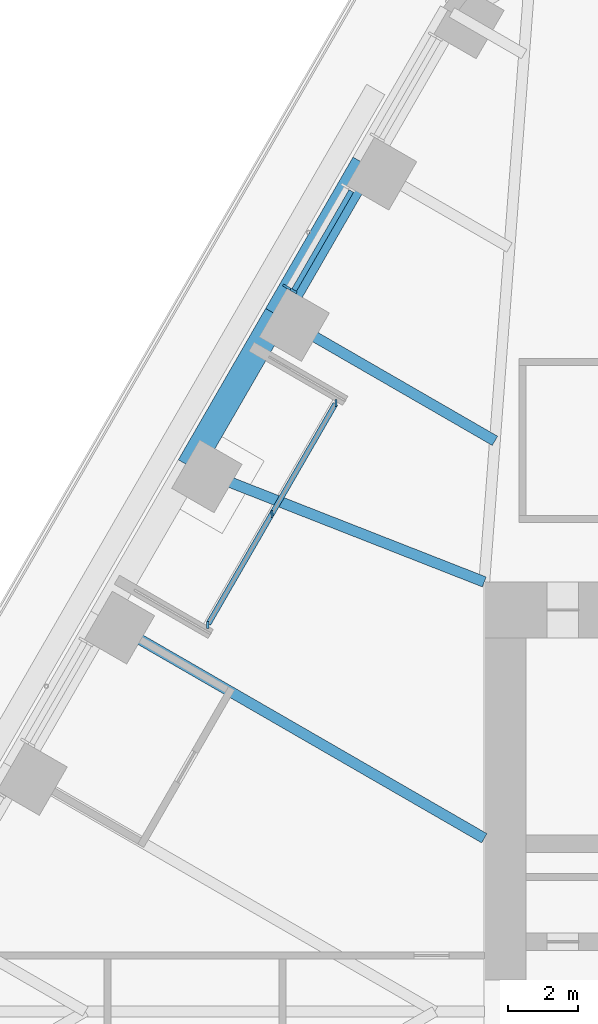
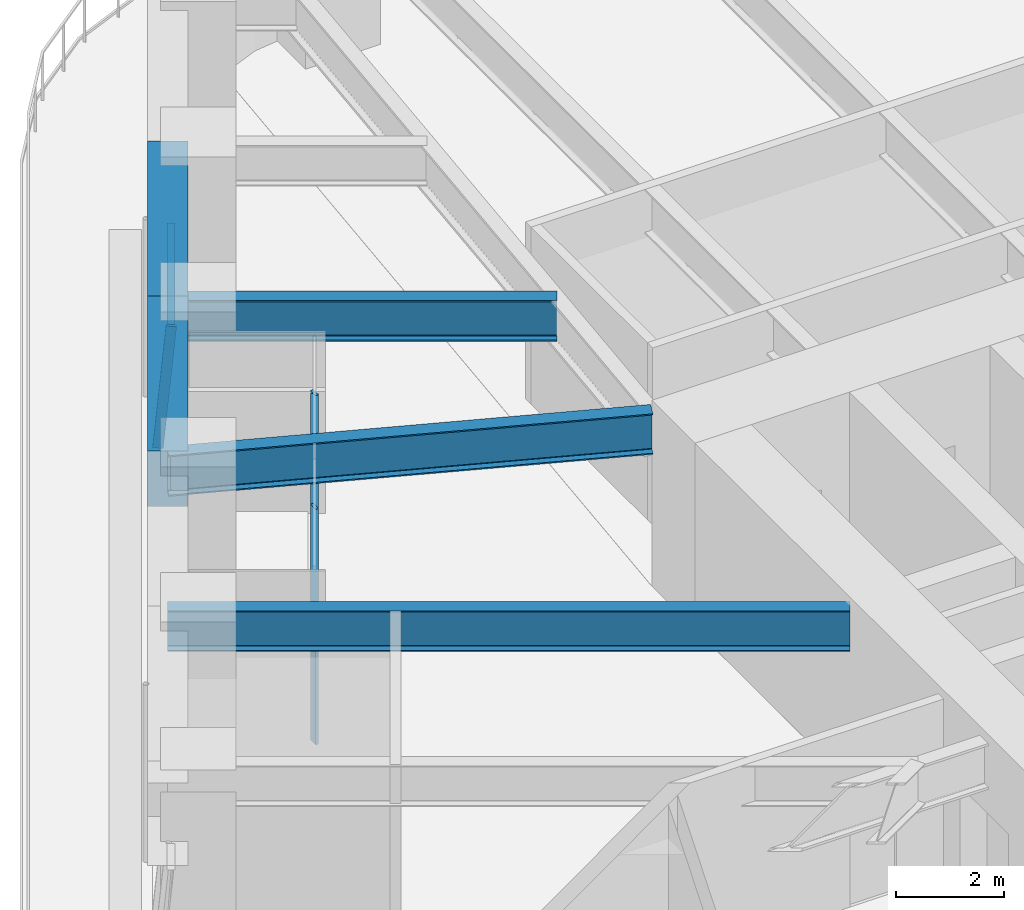
# One storey, part 8 of 24: 6 members, 5 beams, 2 elements without a shape of their own.
"""IFC4 building model written with IfcOpenShell, lengths in metres."""

from ifc_helpers import new_model, si_unit, direction, frame, origin, origin_2d, place, context, subcontext, project, spatial, rectangle, i_section, extrude, material, material_profile, profile_set, type_object, element, aggregate, save


model = new_model("IFC4")

# Units and contexts
model_context = context("Model", 3, precision=1e-05, world=origin(), true_north=direction((0.0, 1.0)))
body_context = subcontext(model_context, "Body", "Model", "MODEL_VIEW")
ifc_project = project(units=[si_unit("LENGTHUNIT", "METRE"), si_unit("AREAUNIT", "SQUARE_METRE"), si_unit("VOLUMEUNIT", "CUBIC_METRE"), si_unit("PLANEANGLEUNIT", "RADIAN"), si_unit("MASSUNIT", "GRAM", prefix="KILO")], contexts=[model_context])

# Site, building, storey
site_placement = place(None, origin())
site = spatial("IfcSite", under=ifc_project, at=site_placement, CompositionType="ELEMENT")
building_placement = place(site_placement, origin())
building = spatial("IfcBuilding", under=site, at=building_placement, Name="Tarfa Lantern Tower", CompositionType="ELEMENT")
storey_placement = place(building_placement, frame((0.0, 0.0, 178.300048828125)))
storey = spatial("IfcBuildingStorey", under=building, at=storey_placement, Name="L40", CompositionType="ELEMENT", Elevation=178.300048828125)

# Curtain wall, member
ifc_material_1 = material(Name="Aluminium framed curtain wall", Category="aluminium")
curtain_wall_type_1 = type_object("IfcCurtainWallType", Name="CW2 CANTED GLAZING MID ZONE 2750", PredefinedType="USERDEFINED", material=ifc_material_1)
curtain_wall_1_placement = place(storey_placement, origin())
curtain_wall_1 = element("IfcCurtainWall", 1, at=curtain_wall_1_placement, inside=storey, type_object=curtain_wall_type_1, Name="CW2 NW L40", ObjectType="CURTAIN WALL", PredefinedType="USERDEFINED")
ifc_material_2 = material(Name="Aluminium mullion", Category="aluminium")
ifc_material_profile_1 = material_profile(ifc_material_2, rectangle(XDim=0.06494140625, YDim=0.199951171875, at=origin_2d()), Name="AL MULLION 65x200")
ifc_profile_set_1 = profile_set([ifc_material_profile_1], Name="Aluminium mullion")
member_type_1 = type_object("IfcMemberType", Name="CWM1 MULLION 65x200", PredefinedType="MULLION", material=ifc_profile_set_1)
member_1_placement = place(storey_placement, frame((-24.275146484375, 20.75439453125, 0.0), z_axis=(0.078422950161, -0.045267813396, 0.995891894715), x_axis=(0.499919672301, 0.866071776036, 0.0)))
member_1 = element("IfcMember", 2, at=member_1_placement, type_object=member_type_1, Name="CW2 mullion 2", PredefinedType="MULLION", context=body_context, shape_type="SweptSolid", body=[
    extrude(rectangle(XDim=0.06494140625, YDim=0.199951171875, at=origin_2d()), origin(), (0.0, 0.0, 1.0), 2.76123046875),
])

# Curtain wall, members
curtain_wall_type_2 = type_object("IfcCurtainWallType", Name="CW10 LOGGIA GLAZING 2750", PredefinedType="USERDEFINED", material=ifc_material_1)
curtain_wall_2_placement = place(storey_placement, origin())
curtain_wall_2 = element("IfcCurtainWall", 3, at=curtain_wall_2_placement, inside=storey, type_object=curtain_wall_type_2, Name="CW10 NWL L40", ObjectType="CURTAIN WALL", PredefinedType="USERDEFINED")
member_2_placement = place(storey_placement, frame((-22.84619140625, 17.429443359375, 0.0), z_axis=(0.0, 0.0, 1.0), x_axis=(1.0, 0.0, 0.0)))
member_2 = element("IfcMember", 4, at=member_2_placement, type_object=member_type_1, Name="CW10 mullion 1", PredefinedType="MULLION", context=body_context, shape_type="SweptSolid", body=[
    extrude(rectangle(XDim=0.06494140625, YDim=0.199951171875, at=origin_2d()), origin(), (0.0, 0.0, 1.0), 2.75),
])
member_3_placement = place(storey_placement, frame((-24.681640625, 14.25, 0.0), z_axis=(0.0, 0.0, 1.0), x_axis=(1.0, 0.0, 0.0)))
member_3 = element("IfcMember", 5, at=member_3_placement, type_object=member_type_1, Name="CW10 mullion 2", PredefinedType="MULLION", context=body_context, shape_type="SweptSolid", body=[
    extrude(rectangle(XDim=0.06494140625, YDim=0.199951171875, at=origin_2d()), origin(), (0.0, 0.0, 1.0), 2.75),
])
member_4_placement = place(storey_placement, frame((-26.517333984375, 11.070556640625, 0.0), z_axis=(0.0, 0.0, 1.0), x_axis=(1.0, 0.0, 0.0)))
member_4 = element("IfcMember", 6, at=member_4_placement, type_object=member_type_1, Name="CW10 mullion 3", PredefinedType="MULLION", context=body_context, shape_type="SweptSolid", body=[
    extrude(rectangle(XDim=0.06494140625, YDim=0.199951171875, at=origin_2d()), origin(), (0.0, 0.0, 1.0), 2.75),
])

# Member
ifc_material_3 = material(Name="Aluminium transom", Category="aluminium")
ifc_material_profile_2 = material_profile(ifc_material_3, rectangle(XDim=0.14990234375, YDim=0.06494140625, at=origin_2d()), Name="AL TRANSOM 150x65")
ifc_profile_set_2 = profile_set([ifc_material_profile_2], Name="Aluminium transom")
member_type_2 = type_object("IfcMemberType", Name="CWT1 TRANSOM 150x65", PredefinedType="USERDEFINED", material=ifc_profile_set_2)
member_5_placement = place(storey_placement, frame((-22.407958984375, 23.494140625, 2.717529296875), z_axis=(-0.500012937857, -0.86601793398, 0.0), x_axis=(0.86601793398, -0.500012937857, 0.0)))
member_5 = element("IfcMember", 7, at=member_5_placement, type_object=member_type_2, Name="CW2 transom 1.2", ObjectType="TRANSOM", PredefinedType="USERDEFINED", context=body_context, shape_type="SweptSolid", body=[
    extrude(rectangle(XDim=0.14990234375, YDim=0.06494140625, at=origin_2d()), origin(), (0.0, 0.0, 1.0), 3.27392578125),
])

aggregate(curtain_wall_1, [member_1, member_5])

member_6_placement = place(storey_placement, frame((-22.8623046875, 17.401123046875, 2.717529296875), z_axis=(-0.500007048974, -0.866021334019, 0.0), x_axis=(0.866021334019, -0.500007048974, 0.0)))
member_6 = element("IfcMember", 8, at=member_6_placement, type_object=member_type_2, Name="CW10 transom 1.2", ObjectType="TRANSOM", PredefinedType="USERDEFINED", context=body_context, shape_type="SweptSolid", body=[
    extrude(rectangle(XDim=0.14990234375, YDim=0.06494140625, at=origin_2d()), origin(), (0.0, 0.0, 1.0), 7.27734375),
])

aggregate(curtain_wall_2, [member_2, member_3, member_4, member_6])

# Beams
ifc_material_4 = material(Name="Concrete C80/95", Category="concrete")
ifc_material_profile_3 = material_profile(ifc_material_4, rectangle(XDim=0.75, YDim=1.25, at=origin_2d()), Name="RC 750x1250")
ifc_profile_set_3 = profile_set([ifc_material_profile_3], Name="Concrete C80/95")
beam_type_1 = type_object("IfcBeamType", Name="EB2 RC 750x1250", PredefinedType="SPANDREL", material=ifc_profile_set_3)
for number, where, z_axis, x_axis, name in (
    (9, (-22.03369140625, 24.276611328125, 3.375), (-0.49998573051, -0.866033642122, 0.0), (0.866033642122, -0.49998573051, 0.0), "Edge beam NW1"),
    (10, (-24.535400390625, 19.943359375, 3.375), (-0.500022324899, -0.866012514114, 0.0), (0.866012514114, -0.500022324899, 0.0), "Edge beam NW2"),
):
    element("IfcBeam", number, at=place(storey_placement, frame(where, z_axis=z_axis, x_axis=x_axis)), inside=storey, type_object=beam_type_1, Name=name, PredefinedType="SPANDREL", context=body_context, shape_type="SweptSolid", body=[
        extrude(rectangle(XDim=0.75, YDim=1.25, at=origin_2d()), origin(), (0.0, 0.0, 1.0), 5.003662109375),
    ])
ifc_material_5 = material(Name="Steel S460M", Category="steel")
ifc_material_profile_4 = material_profile(ifc_material_5, i_section(OverallWidth=0.305419921875, OverallDepth=0.91845703125, WebThickness=0.017333984375, FlangeThickness=0.02783203125, FilletRadius=0.01904296875, at=origin_2d()), Name="UB914x305x253")
ifc_profile_set_4 = profile_set([ifc_material_profile_4], Name="Steel S460M")
beam_type_2 = type_object("IfcBeamType", Name="UB914x305x253", PredefinedType="BEAM", material=ifc_profile_set_4)
beam_1_placement = place(storey_placement, frame((-24.535400390625, 19.943359375, 3.540771484375), z_axis=(0.86602647304, -0.499998147991, 0.0), x_axis=(0.499998147991, 0.86602647304, 0.0)))
element("IfcBeam", 11, at=beam_1_placement, inside=storey, type_object=beam_type_2, Name="Floor beam NW2", PredefinedType="BEAM", context=body_context, shape_type="SweptSolid", body=[
    extrude(i_section(OverallWidth=0.305419921875, OverallDepth=0.91845703125, WebThickness=0.017333984375, FlangeThickness=0.02783203125, FilletRadius=0.01904296875, at=origin_2d()), origin(), (0.0, 0.0, 1.0), 7.20556640625),
])
beam_2_placement = place(storey_placement, frame((-27.037353515625, 15.610107421875, 3.540771484375), z_axis=(0.930923282782, -0.365214788274, 0.0), x_axis=(0.365214788274, 0.930923282782, 0.0)))
element("IfcBeam", 12, at=beam_2_placement, inside=storey, type_object=beam_type_2, Name="Floor beam NW3", PredefinedType="BEAM", context=body_context, shape_type="SweptSolid", body=[
    extrude(i_section(OverallWidth=0.305419921875, OverallDepth=0.91845703125, WebThickness=0.017333984375, FlangeThickness=0.02783203125, FilletRadius=0.01904296875, at=origin_2d()), origin(), (0.0, 0.0, 1.0), 9.063232421875),
])
beam_3_placement = place(storey_placement, frame((-29.5390625, 11.276611328125, 3.540771484375), z_axis=(0.866023362995, -0.500003534735, 0.0), x_axis=(0.500003534735, 0.866023362995, 0.0)))
element("IfcBeam", 13, at=beam_3_placement, inside=storey, type_object=beam_type_2, Name="Floor beam NW4", PredefinedType="BEAM", context=body_context, shape_type="SweptSolid", body=[
    extrude(i_section(OverallWidth=0.305419921875, OverallDepth=0.91845703125, WebThickness=0.017333984375, FlangeThickness=0.02783203125, FilletRadius=0.01904296875, at=origin_2d()), origin(), (0.0, 0.0, 1.0), 12.63134765625),
])

save(model, "model.ifc")
